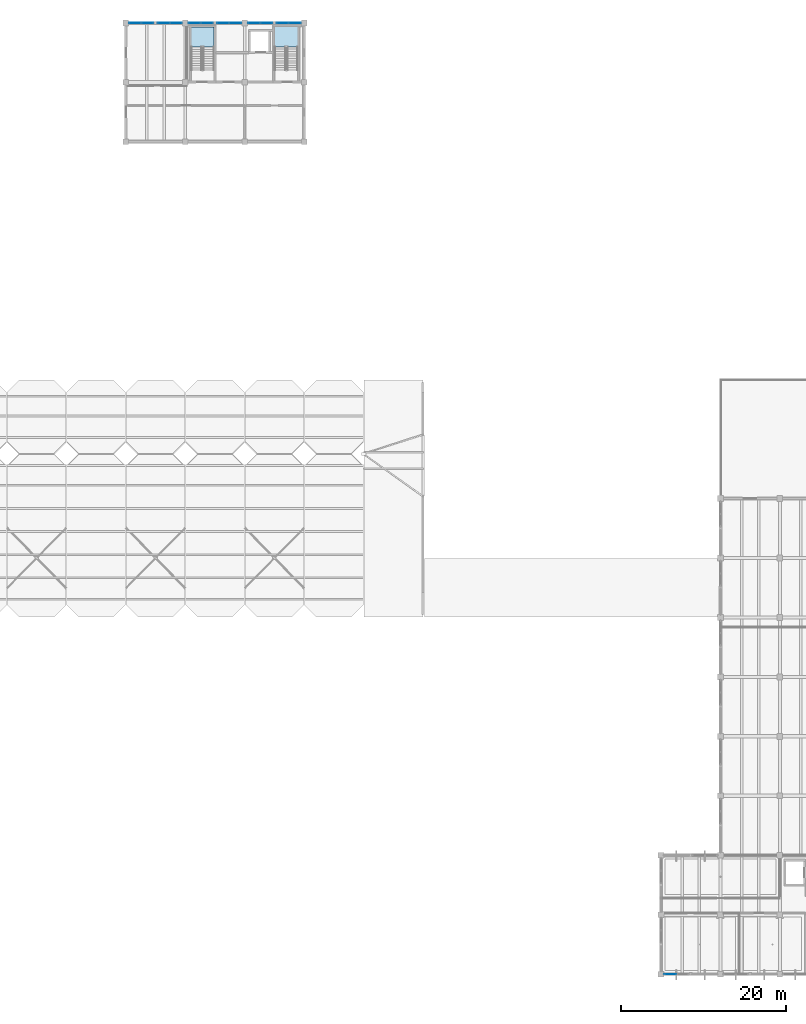
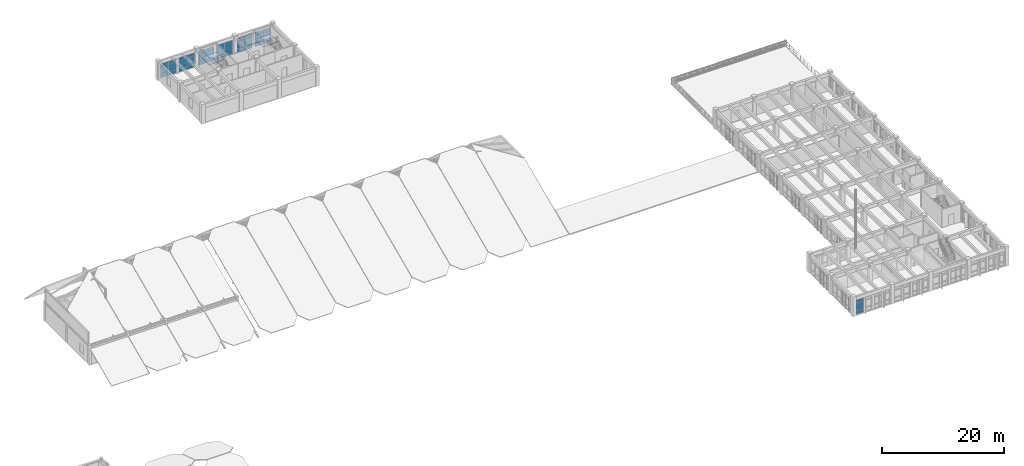
# One storey, part 24 of 54: 39 plates, 2 slabs, 9 elements without a shape of their own.
"""IFC4 building model written with IfcOpenShell, lengths in metres."""

import ifcopenshell
import ifcopenshell.guid

model = None  # the IFC model being written
_history = None  # IfcOwnerHistory: only IFC2X3 demands one
_inside = {}  # id of a spatial element -> (the spatial element, [elements in it])
_under = {}  # id of a project, library or spatial element -> (it, [spatial elements below it])
_declared = {}  # id of a project -> (the project, [libraries it declares])
_typed = {}  # id of a type object -> (the type object, [elements of that type])
_made_of = {}  # id of a material, layer set ... -> (it, [elements and type objects made of it])


def new_model(schema):
    """Start an empty IFC model of exactly this schema.

    Asked for "IFC4X3", IfcOpenShell would pick the latest addendum, in which some entities
    have other attributes; the version numbers below select the first issue.
    IFC2X3 requires an IfcOwnerHistory on every rooted entity: one is made here for all.
    """
    global model, _history
    if schema == "IFC4X3":
        model = ifcopenshell.file(schema_version=(4, 3, 0, 0))
    else:
        model = ifcopenshell.file(schema=schema)
    _inside.clear()
    _under.clear()
    _declared.clear()
    _typed.clear()
    _made_of.clear()
    _history = None
    if model.schema == "IFC2X3":
        org = make("IfcOrganization", Name="unknown")
        user = make(
            "IfcPersonAndOrganization",
            ThePerson=make("IfcPerson", FamilyName="unknown"),
            TheOrganization=org,
        )
        app = make(
            "IfcApplication",
            ApplicationDeveloper=org,
            Version="unknown",
            ApplicationFullName="unknown",
            ApplicationIdentifier="unknown",
        )
        _history = make(
            "IfcOwnerHistory",
            OwningUser=user,
            OwningApplication=app,
            ChangeAction="ADDED",
            CreationDate=0,
        )
    return model


def make(cls, **values):
    """One entity of the class cls with the attributes given. An attribute that is None is left unset."""
    return model.create_entity(
        cls, **{name: value for name, value in values.items() if value is not None}
    )


def rooted(cls, **values):
    """An entity with a GlobalId (a new one), such as an element, a storey or a relation."""
    return make(cls, GlobalId=ifcopenshell.guid.new(), OwnerHistory=_history, **values)


def si_unit(unit_type, name, prefix=None):
    """IfcSIUnit, for example si_unit("LENGTHUNIT", "METRE", prefix="MILLI")."""
    return make("IfcSIUnit", UnitType=unit_type, Prefix=prefix, Name=name)


def assignment(units):
    """IfcUnitAssignment: the units of a project."""
    return None if units is None else make("IfcUnitAssignment", Units=units)


def point(xyz):
    """IfcCartesianPoint."""
    return None if xyz is None else make("IfcCartesianPoint", Coordinates=xyz)


def direction(xyz):
    """IfcDirection."""
    return None if xyz is None else make("IfcDirection", DirectionRatios=xyz)


def frame(location, z_axis=None, x_axis=None):
    """IfcAxis2Placement3D, a coordinate frame: its origin and axes. An axis left out is left unset."""
    return make(
        "IfcAxis2Placement3D",
        Location=point(location),
        Axis=direction(z_axis),
        RefDirection=direction(x_axis),
    )


def frame_2d(location, x_axis=None):
    """IfcAxis2Placement2D, a coordinate frame in the plane: its origin and x axis."""
    return make(
        "IfcAxis2Placement2D", Location=point(location), RefDirection=direction(x_axis)
    )


def origin():
    """The frame at (0, 0, 0) with its axes left unset."""
    return frame((0.0, 0.0, 0.0))


def origin_2d():
    """The frame at (0, 0) in the plane with its x axis left unset."""
    return frame_2d((0.0, 0.0))


def place(relative_to, where):
    """IfcLocalPlacement: puts the frame where relative to a parent placement (None: the world)."""
    return make(
        "IfcLocalPlacement", PlacementRelTo=relative_to, RelativePlacement=where
    )


def context(
    kind, dimensions, precision=None, world=None, true_north=None, identifier=None
):
    """IfcGeometricRepresentationContext, for example the 3D "Model" context."""
    return make(
        "IfcGeometricRepresentationContext",
        ContextIdentifier=identifier,
        ContextType=kind,
        CoordinateSpaceDimension=dimensions,
        Precision=precision,
        WorldCoordinateSystem=world,
        TrueNorth=true_north,
    )


def subcontext(parent, identifier, kind, view, scale=None):
    """IfcGeometricRepresentationSubContext, for example "Body" below "Model"."""
    return make(
        "IfcGeometricRepresentationSubContext",
        ContextIdentifier=identifier,
        ContextType=kind,
        ParentContext=parent,
        TargetScale=scale,
        TargetView=view,
    )


def project(units=None, contexts=None):
    """IfcProject with its units and contexts."""
    return rooted(
        "IfcProject",
        Name="project",
        RepresentationContexts=contexts,
        UnitsInContext=assignment(units),
    )


def spatial(cls, under=None, at=None, **own):
    """A site, building, storey or space (cls), placed at a placement, below another one or the project."""
    s = rooted(cls, ObjectPlacement=at, **own)
    if under is not None:
        _under.setdefault(under.id(), (under, []))[1].append(s)
    return s


def polyline(points):
    """IfcPolyline through the points."""
    return make("IfcPolyline", Points=[point(p) for p in points])


def profile(cls, at=None, kind="AREA", **sizes):
    """A parametric profile (cls). Its sizes go by their IFC names, for example OverallWidth=200.0."""
    return make(cls, ProfileType=kind, Position=at, **sizes)


def rectangle(**sizes):
    """IfcRectangleProfileDef."""
    return profile("IfcRectangleProfileDef", **sizes)


def outline(outer, holes=None, kind="AREA"):
    """IfcArbitraryClosedProfileDef: a profile drawn as a closed curve; with holes, ...WithVoids."""
    if holes is None:
        return make("IfcArbitraryClosedProfileDef", ProfileType=kind, OuterCurve=outer)
    return make(
        "IfcArbitraryProfileDefWithVoids",
        ProfileType=kind,
        OuterCurve=outer,
        InnerCurves=holes,
    )


def extrude(swept, where, along, depth):
    """IfcExtrudedAreaSolid: the profile swept, set in the frame where, extruded along a direction by depth."""
    return make(
        "IfcExtrudedAreaSolid",
        SweptArea=swept,
        Position=where,
        ExtrudedDirection=direction(along),
        Depth=depth,
    )


def shape(context_of_items, identifier, shape_type, items):
    """IfcShapeRepresentation: the items that make up one representation, for example the "Body"."""
    return make(
        "IfcShapeRepresentation",
        ContextOfItems=context_of_items,
        RepresentationIdentifier=identifier,
        RepresentationType=shape_type,
        Items=items,
    )


def material(Name=None, Category=None):
    """IfcMaterial."""
    return make("IfcMaterial", Name=Name, Category=Category)


def layer(
    of_material, thickness, ventilated=None, Name=None, Category=None, Priority=None
):
    """IfcMaterialLayer: one layer of a wall or slab, of a material (None: an air gap)."""
    return make(
        "IfcMaterialLayer",
        Material=of_material,
        LayerThickness=thickness,
        IsVentilated=ventilated,
        Name=Name,
        Category=Category,
        Priority=Priority,
    )


def layer_set(layers, Name=None):
    """IfcMaterialLayerSet."""
    return make("IfcMaterialLayerSet", MaterialLayers=layers, LayerSetName=Name)


def made_of(thing, what):
    """Note that an element or type object is made of a material, layer set ...; save() writes the relation."""
    if what is not None:
        _made_of.setdefault(what.id(), (what, []))[1].append(thing)
    return thing


def type_object(cls, material=None, **own):
    """A type object (cls), such as IfcWallType, which elements share."""
    return made_of(rooted(cls, **own), material)


def element(
    cls,
    number,
    at=None,
    inside=None,
    cuts=None,
    type_object=None,
    material=None,
    context=None,
    identifier="Body",
    shape_type=None,
    held_by="IfcProductDefinitionShape",
    body=None,
    shapes=None,
    **own,
):
    """One element of the class cls, such as IfcWall. Its Tag is "e" and its number.

    at: its placement. inside: the storey or other place that contains it. cuts: it is an
    opening in that element (IfcRelVoidsElement). A single representation is given by context,
    identifier, shape_type and body (its items); several are given by shapes. held_by: the class
    of the entity that holds the representations. save() writes the other relations.
    """
    e = rooted(cls, Tag="e%d" % number, ObjectPlacement=at, **own)
    if body is not None:
        shapes = [shape(context, identifier, shape_type, body)]
    if shapes is not None:
        e.Representation = make(held_by, Representations=shapes)
    if inside is not None:
        _inside.setdefault(inside.id(), (inside, []))[1].append(e)
    if cuts is not None:
        rooted(
            "IfcRelVoidsElement", RelatingBuildingElement=cuts, RelatedOpeningElement=e
        )
    if type_object is not None:
        _typed.setdefault(type_object.id(), (type_object, []))[1].append(e)
    return made_of(e, material)


def aggregate(whole, parts):
    """IfcRelAggregates: a whole, such as a stair, and the parts it consists of."""
    return rooted("IfcRelAggregates", RelatingObject=whole, RelatedObjects=parts)


def save(model, path):
    """Write the relations noted so far, then the file.

    IfcRelAggregates (storeys below a building ...), IfcRelContainedInSpatialStructure (elements
    in a storey), IfcRelDefinesByType, IfcRelAssociatesMaterial and IfcRelDeclares: one each for
    every whole, place, type object, material and project.
    """
    for whole, parts in _under.values():
        aggregate(whole, parts)
    for where, things in _inside.values():
        rooted(
            "IfcRelContainedInSpatialStructure",
            RelatedElements=things,
            RelatingStructure=where,
        )
    for kind, things in _typed.values():
        rooted("IfcRelDefinesByType", RelatedObjects=things, RelatingType=kind)
    for what, things in _made_of.values():
        rooted("IfcRelAssociatesMaterial", RelatedObjects=things, RelatingMaterial=what)
    for by, libraries in _declared.values():
        rooted("IfcRelDeclares", RelatingContext=by, RelatedDefinitions=libraries)
    model.write(path)


model = new_model("IFC4")

# Units and contexts
model_context = context("Model", 3, precision=1e-05, world=origin(), true_north=direction((0.0, 1.0)))
body_context = subcontext(model_context, "Body", "Model", "MODEL_VIEW")
ifc_project = project(units=[si_unit("LENGTHUNIT", "METRE"), si_unit("AREAUNIT", "SQUARE_METRE"), si_unit("VOLUMEUNIT", "CUBIC_METRE"), si_unit("PLANEANGLEUNIT", "RADIAN"), si_unit("MASSUNIT", "GRAM", prefix="KILO")], contexts=[model_context])

# Site, building, storey
site_placement = place(None, origin())
site = spatial("IfcSite", under=ifc_project, at=site_placement, CompositionType="ELEMENT")
building_placement = place(site_placement, origin())
building = spatial("IfcBuilding", under=site, at=building_placement, Name="Koriwan Promenade Central Fire Station", CompositionType="ELEMENT")
storey_placement = place(building_placement, frame((0.0, 0.0, 9.60009765625)))
storey = spatial("IfcBuildingStorey", under=building, at=storey_placement, Name="L02", CompositionType="ELEMENT", Elevation=9.60009765625)

# Curtain wall, plates
ifc_material_1 = material(Name="Aluminium EN AW-6063-T6 and low-E glazing", Category="aluminium")
ifc_layer_1 = layer(ifc_material_1, 0.159912109375, Name="Aluminium EN AW-6063-T6 and low-E glazing")
ifc_layer_set_1 = layer_set([ifc_layer_1], Name="Aluminium EN AW-6063-T6 and low-E glazing")
curtain_wall_type_1 = type_object("IfcCurtainWallType", Name="CurtainWall_10_305x299", PredefinedType="USERDEFINED", material=ifc_layer_set_1)
curtain_wall_1_placement = place(storey_placement, origin())
curtain_wall_1 = element("IfcCurtainWall", 1, at=curtain_wall_1_placement, inside=storey, type_object=curtain_wall_type_1, Name="V2 L02 unitised curtain wall 028", ObjectType="UNITISED CURTAIN WALL", PredefinedType="USERDEFINED")
ifc_material_2 = material(Name="Low-E laminated double glazing", Category="glass")
ifc_layer_2 = layer(ifc_material_2, 0.028076171875, Name="Low-E laminated double glazing")
ifc_layer_set_2 = layer_set([ifc_layer_2], Name="Low-E laminated double glazing")
plate_type_1 = type_object("IfcPlateType", Name="CWPanel_28", PredefinedType="CURTAIN_PANEL", material=ifc_layer_set_2)
plate_1_placement = place(storey_placement, frame((96.217529296875, 115.199951171875, 0.079833984375), z_axis=(0.0, 0.0, 1.0), x_axis=(-1.0, 0.0, 0.0)))
plate_1 = element("IfcPlate", 2, at=plate_1_placement, type_object=plate_type_1, Name="CW-10 panel 1.1", PredefinedType="CURTAIN_PANEL", context=body_context, shape_type="SweptSolid", body=[
    extrude(rectangle(XDim=1.405029296875, YDim=0.028076171875, at=origin_2d()), origin(), (0.0, 0.0, 1.0), 0.72998046875),
])
plate_2_placement = place(storey_placement, frame((96.217529296875, 115.199951171875, 0.89013671875), z_axis=(0.0, 0.0, 1.0), x_axis=(-1.0, 0.0, 0.0)))
plate_2 = element("IfcPlate", 3, at=plate_2_placement, type_object=plate_type_1, Name="CW-10 panel 1.2", PredefinedType="CURTAIN_PANEL", context=body_context, shape_type="SweptSolid", body=[
    extrude(rectangle(XDim=1.405029296875, YDim=0.028076171875, at=origin_2d()), origin(), (0.0, 0.0, 1.0), 1.409912109375),
])
plate_3_placement = place(storey_placement, frame((96.217529296875, 115.199951171875, 2.3798828125), z_axis=(0.0, 0.0, 1.0), x_axis=(-1.0, 0.0, 0.0)))
plate_3 = element("IfcPlate", 4, at=plate_3_placement, type_object=plate_type_1, Name="CW-10 panel 1.3", PredefinedType="CURTAIN_PANEL", context=body_context, shape_type="SweptSolid", body=[
    extrude(rectangle(XDim=1.405029296875, YDim=0.028076171875, at=origin_2d()), origin(), (0.0, 0.0, 1.0), 0.530029296875),
])
plate_4_placement = place(storey_placement, frame((94.732421875, 115.199951171875, 0.079833984375), z_axis=(0.0, 0.0, 1.0), x_axis=(-1.0, 0.0, 0.0)))
plate_4 = element("IfcPlate", 5, at=plate_4_placement, type_object=plate_type_1, Name="CW-10 panel 2.1", PredefinedType="CURTAIN_PANEL", context=body_context, shape_type="SweptSolid", body=[
    extrude(rectangle(XDim=1.405029296875, YDim=0.028076171875, at=origin_2d()), origin(), (0.0, 0.0, 1.0), 0.72998046875),
])
plate_5_placement = place(storey_placement, frame((94.732421875, 115.199951171875, 0.89013671875), z_axis=(0.0, 0.0, 1.0), x_axis=(-1.0, 0.0, 0.0)))
plate_5 = element("IfcPlate", 6, at=plate_5_placement, type_object=plate_type_1, Name="CW-10 panel 2.2", PredefinedType="CURTAIN_PANEL", context=body_context, shape_type="SweptSolid", body=[
    extrude(rectangle(XDim=1.405029296875, YDim=0.028076171875, at=origin_2d()), origin(), (0.0, 0.0, 1.0), 1.409912109375),
])
plate_6_placement = place(storey_placement, frame((94.732421875, 115.199951171875, 2.3798828125), z_axis=(0.0, 0.0, 1.0), x_axis=(-1.0, 0.0, 0.0)))
plate_6 = element("IfcPlate", 7, at=plate_6_placement, type_object=plate_type_1, Name="CW-10 panel 2.3", PredefinedType="CURTAIN_PANEL", context=body_context, shape_type="SweptSolid", body=[
    extrude(rectangle(XDim=1.405029296875, YDim=0.028076171875, at=origin_2d()), origin(), (0.0, 0.0, 1.0), 0.530029296875),
])
aggregate(curtain_wall_1, [plate_1, plate_2, plate_3, plate_4, plate_5, plate_6])

curtain_wall_2_placement = place(storey_placement, origin())
curtain_wall_2 = element("IfcCurtainWall", 8, at=curtain_wall_2_placement, inside=storey, type_object=curtain_wall_type_1, Name="V2 L02 unitised curtain wall 030", ObjectType="UNITISED CURTAIN WALL", PredefinedType="USERDEFINED")
plate_7_placement = place(storey_placement, frame((89.017578125, 115.199951171875, 0.079833984375), z_axis=(0.0, 0.0, 1.0), x_axis=(-1.0, 0.0, 0.0)))
plate_7 = element("IfcPlate", 9, at=plate_7_placement, type_object=plate_type_1, Name="CW-10 panel 1.1", PredefinedType="CURTAIN_PANEL", context=body_context, shape_type="SweptSolid", body=[
    extrude(rectangle(XDim=1.405029296875, YDim=0.028076171875, at=origin_2d()), origin(), (0.0, 0.0, 1.0), 0.72998046875),
])
plate_8_placement = place(storey_placement, frame((89.017578125, 115.199951171875, 0.89013671875), z_axis=(0.0, 0.0, 1.0), x_axis=(-1.0, 0.0, 0.0)))
plate_8 = element("IfcPlate", 10, at=plate_8_placement, type_object=plate_type_1, Name="CW-10 panel 1.2", PredefinedType="CURTAIN_PANEL", context=body_context, shape_type="SweptSolid", body=[
    extrude(rectangle(XDim=1.405029296875, YDim=0.028076171875, at=origin_2d()), origin(), (0.0, 0.0, 1.0), 1.409912109375),
])
plate_9_placement = place(storey_placement, frame((89.017578125, 115.199951171875, 2.3798828125), z_axis=(0.0, 0.0, 1.0), x_axis=(-1.0, 0.0, 0.0)))
plate_9 = element("IfcPlate", 11, at=plate_9_placement, type_object=plate_type_1, Name="CW-10 panel 1.3", PredefinedType="CURTAIN_PANEL", context=body_context, shape_type="SweptSolid", body=[
    extrude(rectangle(XDim=1.405029296875, YDim=0.028076171875, at=origin_2d()), origin(), (0.0, 0.0, 1.0), 0.530029296875),
])
plate_10_placement = place(storey_placement, frame((87.532470703125, 115.199951171875, 0.079833984375), z_axis=(0.0, 0.0, 1.0), x_axis=(-1.0, 0.0, 0.0)))
plate_10 = element("IfcPlate", 12, at=plate_10_placement, type_object=plate_type_1, Name="CW-10 panel 2.1", PredefinedType="CURTAIN_PANEL", context=body_context, shape_type="SweptSolid", body=[
    extrude(rectangle(XDim=1.405029296875, YDim=0.028076171875, at=origin_2d()), origin(), (0.0, 0.0, 1.0), 0.72998046875),
])
plate_11_placement = place(storey_placement, frame((87.532470703125, 115.199951171875, 0.89013671875), z_axis=(0.0, 0.0, 1.0), x_axis=(-1.0, 0.0, 0.0)))
plate_11 = element("IfcPlate", 13, at=plate_11_placement, type_object=plate_type_1, Name="CW-10 panel 2.2", PredefinedType="CURTAIN_PANEL", context=body_context, shape_type="SweptSolid", body=[
    extrude(rectangle(XDim=1.405029296875, YDim=0.028076171875, at=origin_2d()), origin(), (0.0, 0.0, 1.0), 1.409912109375),
])
plate_12_placement = place(storey_placement, frame((87.532470703125, 115.199951171875, 2.3798828125), z_axis=(0.0, 0.0, 1.0), x_axis=(-1.0, 0.0, 0.0)))
plate_12 = element("IfcPlate", 14, at=plate_12_placement, type_object=plate_type_1, Name="CW-10 panel 2.3", PredefinedType="CURTAIN_PANEL", context=body_context, shape_type="SweptSolid", body=[
    extrude(rectangle(XDim=1.405029296875, YDim=0.028076171875, at=origin_2d()), origin(), (0.0, 0.0, 1.0), 0.530029296875),
])
aggregate(curtain_wall_2, [plate_7, plate_8, plate_9, plate_10, plate_11, plate_12])

curtain_wall_3_placement = place(storey_placement, origin())
curtain_wall_3 = element("IfcCurtainWall", 15, at=curtain_wall_3_placement, inside=storey, type_object=curtain_wall_type_1, Name="V2 L02 unitised curtain wall 032", ObjectType="UNITISED CURTAIN WALL", PredefinedType="USERDEFINED")
plate_13_placement = place(storey_placement, frame((81.8173828125, 115.199951171875, 0.079833984375), z_axis=(0.0, 0.0, 1.0), x_axis=(-1.0, 0.0, 0.0)))
plate_13 = element("IfcPlate", 16, at=plate_13_placement, type_object=plate_type_1, Name="CW-10 panel 1.1", PredefinedType="CURTAIN_PANEL", context=body_context, shape_type="SweptSolid", body=[
    extrude(rectangle(XDim=1.405029296875, YDim=0.028076171875, at=origin_2d()), origin(), (0.0, 0.0, 1.0), 0.72998046875),
])
plate_14_placement = place(storey_placement, frame((81.8173828125, 115.199951171875, 0.89013671875), z_axis=(0.0, 0.0, 1.0), x_axis=(-1.0, 0.0, 0.0)))
plate_14 = element("IfcPlate", 17, at=plate_14_placement, type_object=plate_type_1, Name="CW-10 panel 1.2", PredefinedType="CURTAIN_PANEL", context=body_context, shape_type="SweptSolid", body=[
    extrude(rectangle(XDim=1.405029296875, YDim=0.028076171875, at=origin_2d()), origin(), (0.0, 0.0, 1.0), 1.409912109375),
])
plate_15_placement = place(storey_placement, frame((81.8173828125, 115.199951171875, 2.3798828125), z_axis=(0.0, 0.0, 1.0), x_axis=(-1.0, 0.0, 0.0)))
plate_15 = element("IfcPlate", 18, at=plate_15_placement, type_object=plate_type_1, Name="CW-10 panel 1.3", PredefinedType="CURTAIN_PANEL", context=body_context, shape_type="SweptSolid", body=[
    extrude(rectangle(XDim=1.405029296875, YDim=0.028076171875, at=origin_2d()), origin(), (0.0, 0.0, 1.0), 0.530029296875),
])
plate_16_placement = place(storey_placement, frame((80.33251953125, 115.199951171875, 0.079833984375), z_axis=(0.0, 0.0, 1.0), x_axis=(-1.0, 0.0, 0.0)))
plate_16 = element("IfcPlate", 19, at=plate_16_placement, type_object=plate_type_1, Name="CW-10 panel 2.1", PredefinedType="CURTAIN_PANEL", context=body_context, shape_type="SweptSolid", body=[
    extrude(rectangle(XDim=1.405029296875, YDim=0.028076171875, at=origin_2d()), origin(), (0.0, 0.0, 1.0), 0.72998046875),
])
plate_17_placement = place(storey_placement, frame((80.33251953125, 115.199951171875, 0.89013671875), z_axis=(0.0, 0.0, 1.0), x_axis=(-1.0, 0.0, 0.0)))
plate_17 = element("IfcPlate", 20, at=plate_17_placement, type_object=plate_type_1, Name="CW-10 panel 2.2", PredefinedType="CURTAIN_PANEL", context=body_context, shape_type="SweptSolid", body=[
    extrude(rectangle(XDim=1.405029296875, YDim=0.028076171875, at=origin_2d()), origin(), (0.0, 0.0, 1.0), 1.409912109375),
])
plate_18_placement = place(storey_placement, frame((80.33251953125, 115.199951171875, 2.3798828125), z_axis=(0.0, 0.0, 1.0), x_axis=(-1.0, 0.0, 0.0)))
plate_18 = element("IfcPlate", 21, at=plate_18_placement, type_object=plate_type_1, Name="CW-10 panel 2.3", PredefinedType="CURTAIN_PANEL", context=body_context, shape_type="SweptSolid", body=[
    extrude(rectangle(XDim=1.405029296875, YDim=0.028076171875, at=origin_2d()), origin(), (0.0, 0.0, 1.0), 0.530029296875),
])
aggregate(curtain_wall_3, [plate_13, plate_14, plate_15, plate_16, plate_17, plate_18])

ifc_layer_3 = layer(ifc_material_1, 0.159912109375, Name="Aluminium EN AW-6063-T6 and low-E glazing")
ifc_layer_set_3 = layer_set([ifc_layer_3], Name="Aluminium EN AW-6063-T6 and low-E glazing")
curtain_wall_type_2 = type_object("IfcCurtainWallType", Name="CurtainWall_75_305x300", PredefinedType="USERDEFINED", material=ifc_layer_set_3)
curtain_wall_4_placement = place(storey_placement, origin())
curtain_wall_4 = element("IfcCurtainWall", 22, at=curtain_wall_4_placement, inside=storey, type_object=curtain_wall_type_2, Name="V5 L02 unitised curtain wall 216", ObjectType="UNITISED CURTAIN WALL", PredefinedType="USERDEFINED")
plate_19_placement = place(storey_placement, frame((145.132568359375, 0.0, 0.079833984375), z_axis=(0.0, 0.0, 1.0), x_axis=(-1.0, 0.0, 0.0)))
plate_19 = element("IfcPlate", 23, at=plate_19_placement, type_object=plate_type_1, Name="CW-75 panel 2.1", PredefinedType="CURTAIN_PANEL", context=body_context, shape_type="SweptSolid", body=[
    extrude(rectangle(XDim=1.405029296875, YDim=0.028076171875, at=origin_2d()), origin(), (0.0, 0.0, 1.0), 0.72998046875),
])
plate_20_placement = place(storey_placement, frame((145.132568359375, 0.0, 0.889892578125), z_axis=(0.0, 0.0, 1.0), x_axis=(-1.0, 0.0, 0.0)))
plate_20 = element("IfcPlate", 24, at=plate_20_placement, type_object=plate_type_1, Name="CW-75 panel 2.2", PredefinedType="CURTAIN_PANEL", context=body_context, shape_type="SweptSolid", body=[
    extrude(rectangle(XDim=1.405029296875, YDim=0.028076171875, at=origin_2d()), origin(), (0.0, 0.0, 1.0), 1.419921875),
])
plate_21_placement = place(storey_placement, frame((145.132568359375, 0.0, 2.3896484375), z_axis=(0.0, 0.0, 1.0), x_axis=(-1.0, 0.0, 0.0)))
plate_21 = element("IfcPlate", 25, at=plate_21_placement, type_object=plate_type_1, Name="CW-75 panel 2.3", PredefinedType="CURTAIN_PANEL", context=body_context, shape_type="SweptSolid", body=[
    extrude(rectangle(XDim=1.405029296875, YDim=0.028076171875, at=origin_2d()), origin(), (0.0, 0.0, 1.0), 0.530029296875),
])
aggregate(curtain_wall_4, [plate_19, plate_20, plate_21])

ifc_layer_4 = layer(ifc_material_1, 0.159912109375, Name="Aluminium EN AW-6063-T6 and low-E glazing")
ifc_layer_set_4 = layer_set([ifc_layer_4], Name="Aluminium EN AW-6063-T6 and low-E glazing")
curtain_wall_type_3 = type_object("IfcCurtainWallType", Name="CurtainWall_09_305x299", PredefinedType="USERDEFINED", material=ifc_layer_set_4)
curtain_wall_5_placement = place(storey_placement, origin())
curtain_wall_5 = element("IfcCurtainWall", 26, at=curtain_wall_5_placement, inside=storey, type_object=curtain_wall_type_3, Name="V2 L02 unitised curtain wall 027", ObjectType="UNITISED CURTAIN WALL", PredefinedType="USERDEFINED")
ifc_material_3 = material(Name="Solar-control low-E acoustic glazing", Category="glass")
ifc_layer_5 = layer(ifc_material_3, 0.031982421875, Name="Solar-control low-E acoustic glazing")
ifc_layer_set_5 = layer_set([ifc_layer_5], Name="Solar-control low-E acoustic glazing")
plate_type_2 = type_object("IfcPlateType", Name="CWPanel_32", PredefinedType="CURTAIN_PANEL", material=ifc_layer_set_5)
plate_22_placement = place(storey_placement, frame((99.668701171875, 115.199951171875, 0.07470703125), z_axis=(0.0, 0.0, 1.0), x_axis=(-1.0, 0.0, 0.0)))
plate_22 = element("IfcPlate", 27, at=plate_22_placement, type_object=plate_type_2, Name="CW-09 panel 1.1", PredefinedType="CURTAIN_PANEL", context=body_context, shape_type="SweptSolid", body=[
    extrude(rectangle(XDim=1.41259765625, YDim=0.031982421875, at=origin_2d()), origin(), (0.0, 0.0, 1.0), 0.737548828125),
])
plate_23_placement = place(storey_placement, frame((99.668701171875, 115.199951171875, 0.887451171875), z_axis=(0.0, 0.0, 1.0), x_axis=(-1.0, 0.0, 0.0)))
plate_23 = element("IfcPlate", 28, at=plate_23_placement, type_object=plate_type_2, Name="CW-09 panel 1.2", PredefinedType="CURTAIN_PANEL", context=body_context, shape_type="SweptSolid", body=[
    extrude(rectangle(XDim=1.41259765625, YDim=0.031982421875, at=origin_2d()), origin(), (0.0, 0.0, 1.0), 1.4150390625),
])
plate_24_placement = place(storey_placement, frame((99.668701171875, 115.199951171875, 2.37744140625), z_axis=(0.0, 0.0, 1.0), x_axis=(-1.0, 0.0, 0.0)))
plate_24 = element("IfcPlate", 29, at=plate_24_placement, type_object=plate_type_2, Name="CW-09 panel 1.3", PredefinedType="CURTAIN_PANEL", context=body_context, shape_type="SweptSolid", body=[
    extrude(rectangle(XDim=1.41259765625, YDim=0.031982421875, at=origin_2d()), origin(), (0.0, 0.0, 1.0), 0.53759765625),
])
plate_25_placement = place(storey_placement, frame((98.18115234375, 115.199951171875, 0.07470703125), z_axis=(0.0, 0.0, 1.0), x_axis=(-1.0, 0.0, 0.0)))
plate_25 = element("IfcPlate", 30, at=plate_25_placement, type_object=plate_type_2, Name="CW-09 panel 2.1", PredefinedType="CURTAIN_PANEL", context=body_context, shape_type="SweptSolid", body=[
    extrude(rectangle(XDim=1.41259765625, YDim=0.031982421875, at=origin_2d()), origin(), (0.0, 0.0, 1.0), 0.737548828125),
])
plate_26_placement = place(storey_placement, frame((98.18115234375, 115.199951171875, 0.887451171875), z_axis=(0.0, 0.0, 1.0), x_axis=(-1.0, 0.0, 0.0)))
plate_26 = element("IfcPlate", 31, at=plate_26_placement, type_object=plate_type_2, Name="CW-09 panel 2.2", PredefinedType="CURTAIN_PANEL", context=body_context, shape_type="SweptSolid", body=[
    extrude(rectangle(XDim=1.41259765625, YDim=0.031982421875, at=origin_2d()), origin(), (0.0, 0.0, 1.0), 1.4150390625),
])
plate_27_placement = place(storey_placement, frame((98.18115234375, 115.199951171875, 2.37744140625), z_axis=(0.0, 0.0, 1.0), x_axis=(-1.0, 0.0, 0.0)))
plate_27 = element("IfcPlate", 32, at=plate_27_placement, type_object=plate_type_2, Name="CW-09 panel 2.3", PredefinedType="CURTAIN_PANEL", context=body_context, shape_type="SweptSolid", body=[
    extrude(rectangle(XDim=1.41259765625, YDim=0.031982421875, at=origin_2d()), origin(), (0.0, 0.0, 1.0), 0.53759765625),
])
aggregate(curtain_wall_5, [plate_22, plate_23, plate_24, plate_25, plate_26, plate_27])

curtain_wall_6_placement = place(storey_placement, origin())
curtain_wall_6 = element("IfcCurtainWall", 33, at=curtain_wall_6_placement, inside=storey, type_object=curtain_wall_type_3, Name="V2 L02 unitised curtain wall 029", ObjectType="UNITISED CURTAIN WALL", PredefinedType="USERDEFINED")
plate_28_placement = place(storey_placement, frame((92.46875, 115.199951171875, 0.07470703125), z_axis=(0.0, 0.0, 1.0), x_axis=(-1.0, 0.0, 0.0)))
plate_28 = element("IfcPlate", 34, at=plate_28_placement, type_object=plate_type_2, Name="CW-09 panel 1.1", PredefinedType="CURTAIN_PANEL", context=body_context, shape_type="SweptSolid", body=[
    extrude(rectangle(XDim=1.41259765625, YDim=0.031982421875, at=origin_2d()), origin(), (0.0, 0.0, 1.0), 0.737548828125),
])
plate_29_placement = place(storey_placement, frame((92.46875, 115.199951171875, 0.887451171875), z_axis=(0.0, 0.0, 1.0), x_axis=(-1.0, 0.0, 0.0)))
plate_29 = element("IfcPlate", 35, at=plate_29_placement, type_object=plate_type_2, Name="CW-09 panel 1.2", PredefinedType="CURTAIN_PANEL", context=body_context, shape_type="SweptSolid", body=[
    extrude(rectangle(XDim=1.41259765625, YDim=0.031982421875, at=origin_2d()), origin(), (0.0, 0.0, 1.0), 1.4150390625),
])
plate_30_placement = place(storey_placement, frame((92.46875, 115.199951171875, 2.37744140625), z_axis=(0.0, 0.0, 1.0), x_axis=(-1.0, 0.0, 0.0)))
plate_30 = element("IfcPlate", 36, at=plate_30_placement, type_object=plate_type_2, Name="CW-09 panel 1.3", PredefinedType="CURTAIN_PANEL", context=body_context, shape_type="SweptSolid", body=[
    extrude(rectangle(XDim=1.41259765625, YDim=0.031982421875, at=origin_2d()), origin(), (0.0, 0.0, 1.0), 0.53759765625),
])
plate_31_placement = place(storey_placement, frame((90.981201171875, 115.199951171875, 0.07470703125), z_axis=(0.0, 0.0, 1.0), x_axis=(-1.0, 0.0, 0.0)))
plate_31 = element("IfcPlate", 37, at=plate_31_placement, type_object=plate_type_2, Name="CW-09 panel 2.1", PredefinedType="CURTAIN_PANEL", context=body_context, shape_type="SweptSolid", body=[
    extrude(rectangle(XDim=1.41259765625, YDim=0.031982421875, at=origin_2d()), origin(), (0.0, 0.0, 1.0), 0.737548828125),
])
plate_32_placement = place(storey_placement, frame((90.981201171875, 115.199951171875, 0.887451171875), z_axis=(0.0, 0.0, 1.0), x_axis=(-1.0, 0.0, 0.0)))
plate_32 = element("IfcPlate", 38, at=plate_32_placement, type_object=plate_type_2, Name="CW-09 panel 2.2", PredefinedType="CURTAIN_PANEL", context=body_context, shape_type="SweptSolid", body=[
    extrude(rectangle(XDim=1.41259765625, YDim=0.031982421875, at=origin_2d()), origin(), (0.0, 0.0, 1.0), 1.4150390625),
])
plate_33_placement = place(storey_placement, frame((90.981201171875, 115.199951171875, 2.37744140625), z_axis=(0.0, 0.0, 1.0), x_axis=(-1.0, 0.0, 0.0)))
plate_33 = element("IfcPlate", 39, at=plate_33_placement, type_object=plate_type_2, Name="CW-09 panel 2.3", PredefinedType="CURTAIN_PANEL", context=body_context, shape_type="SweptSolid", body=[
    extrude(rectangle(XDim=1.41259765625, YDim=0.031982421875, at=origin_2d()), origin(), (0.0, 0.0, 1.0), 0.53759765625),
])
aggregate(curtain_wall_6, [plate_28, plate_29, plate_30, plate_31, plate_32, plate_33])

curtain_wall_7_placement = place(storey_placement, origin())
curtain_wall_7 = element("IfcCurtainWall", 40, at=curtain_wall_7_placement, inside=storey, type_object=curtain_wall_type_3, Name="V2 L02 unitised curtain wall 031", ObjectType="UNITISED CURTAIN WALL", PredefinedType="USERDEFINED")
plate_34_placement = place(storey_placement, frame((85.268798828125, 115.199951171875, 0.07470703125), z_axis=(0.0, 0.0, 1.0), x_axis=(-1.0, 0.0, 0.0)))
plate_34 = element("IfcPlate", 41, at=plate_34_placement, type_object=plate_type_2, Name="CW-09 panel 1.1", PredefinedType="CURTAIN_PANEL", context=body_context, shape_type="SweptSolid", body=[
    extrude(rectangle(XDim=1.41259765625, YDim=0.031982421875, at=origin_2d()), origin(), (0.0, 0.0, 1.0), 0.737548828125),
])
plate_35_placement = place(storey_placement, frame((85.268798828125, 115.199951171875, 0.887451171875), z_axis=(0.0, 0.0, 1.0), x_axis=(-1.0, 0.0, 0.0)))
plate_35 = element("IfcPlate", 42, at=plate_35_placement, type_object=plate_type_2, Name="CW-09 panel 1.2", PredefinedType="CURTAIN_PANEL", context=body_context, shape_type="SweptSolid", body=[
    extrude(rectangle(XDim=1.41259765625, YDim=0.031982421875, at=origin_2d()), origin(), (0.0, 0.0, 1.0), 1.4150390625),
])
plate_36_placement = place(storey_placement, frame((85.268798828125, 115.199951171875, 2.37744140625), z_axis=(0.0, 0.0, 1.0), x_axis=(-1.0, 0.0, 0.0)))
plate_36 = element("IfcPlate", 43, at=plate_36_placement, type_object=plate_type_2, Name="CW-09 panel 1.3", PredefinedType="CURTAIN_PANEL", context=body_context, shape_type="SweptSolid", body=[
    extrude(rectangle(XDim=1.41259765625, YDim=0.031982421875, at=origin_2d()), origin(), (0.0, 0.0, 1.0), 0.53759765625),
])
plate_37_placement = place(storey_placement, frame((83.78125, 115.199951171875, 0.07470703125), z_axis=(0.0, 0.0, 1.0), x_axis=(-1.0, 0.0, 0.0)))
plate_37 = element("IfcPlate", 44, at=plate_37_placement, type_object=plate_type_2, Name="CW-09 panel 2.1", PredefinedType="CURTAIN_PANEL", context=body_context, shape_type="SweptSolid", body=[
    extrude(rectangle(XDim=1.41259765625, YDim=0.031982421875, at=origin_2d()), origin(), (0.0, 0.0, 1.0), 0.737548828125),
])
plate_38_placement = place(storey_placement, frame((83.78125, 115.199951171875, 0.887451171875), z_axis=(0.0, 0.0, 1.0), x_axis=(-1.0, 0.0, 0.0)))
plate_38 = element("IfcPlate", 45, at=plate_38_placement, type_object=plate_type_2, Name="CW-09 panel 2.2", PredefinedType="CURTAIN_PANEL", context=body_context, shape_type="SweptSolid", body=[
    extrude(rectangle(XDim=1.41259765625, YDim=0.031982421875, at=origin_2d()), origin(), (0.0, 0.0, 1.0), 1.4150390625),
])
plate_39_placement = place(storey_placement, frame((83.78125, 115.199951171875, 2.37744140625), z_axis=(0.0, 0.0, 1.0), x_axis=(-1.0, 0.0, 0.0)))
plate_39 = element("IfcPlate", 46, at=plate_39_placement, type_object=plate_type_2, Name="CW-09 panel 2.3", PredefinedType="CURTAIN_PANEL", context=body_context, shape_type="SweptSolid", body=[
    extrude(rectangle(XDim=1.41259765625, YDim=0.031982421875, at=origin_2d()), origin(), (0.0, 0.0, 1.0), 0.53759765625),
])
aggregate(curtain_wall_7, [plate_34, plate_35, plate_36, plate_37, plate_38, plate_39])

# Stair, slab
ifc_material_4 = material(Name="Concrete C35/45", Category="concrete")
stair_type_1 = type_object("IfcStairType", Name="Stair_HALF_22R_1340", PredefinedType="HALF_TURN_STAIR", material=ifc_material_4)
stair_1_placement = place(storey_placement, origin())
stair_1 = element("IfcStair", 47, at=stair_1_placement, inside=storey, type_object=stair_type_1, Name="L02 Protected Stair ST04", PredefinedType="HALF_TURN_STAIR")
ifc_layer_6 = layer(ifc_material_4, 0.199951171875, Name="Concrete C35/45")
ifc_layer_set_6 = layer_set([ifc_layer_6], Name="Concrete C35/45")
slab_type = type_object("IfcSlabType", Name="StairLanding_200", PredefinedType="LANDING", material=ifc_layer_set_6)
slab_1_placement = place(storey_placement, frame((0.0, 0.0, 1.75)))
slab_1 = element("IfcSlab", 48, at=slab_1_placement, type_object=slab_type, Name="ST04 landing 1", PredefinedType="LANDING", context=body_context, shape_type="SweptSolid", body=[
    extrude(outline(polyline([(100.050048828125, 112.2900390625), (100.050048828125, 114.75), (97.219970703125, 114.75), (97.219970703125, 112.2900390625), (100.050048828125, 112.2900390625)])), origin(), (0.0, 0.0, 1.0), 0.199951171875),
])
aggregate(stair_1, [slab_1])

stair_type_2 = type_object("IfcStairType", Name="Stair_HALF_22R_1320", PredefinedType="HALF_TURN_STAIR", material=ifc_material_4)
stair_2_placement = place(storey_placement, origin())
stair_2 = element("IfcStair", 49, at=stair_2_placement, inside=storey, type_object=stair_type_2, Name="L02 Protected Stair ST09", PredefinedType="HALF_TURN_STAIR")
slab_2_placement = place(storey_placement, frame((0.0, 0.0, 1.75)))
slab_2 = element("IfcSlab", 50, at=slab_2_placement, type_object=slab_type, Name="ST09 landing 1", PredefinedType="LANDING", context=body_context, shape_type="SweptSolid", body=[
    extrude(outline(polyline([(89.89990234375, 112.27001953125), (89.89990234375, 114.7099609375), (87.110107421875, 114.7099609375), (87.110107421875, 112.27001953125), (89.89990234375, 112.27001953125)])), origin(), (0.0, 0.0, 1.0), 0.199951171875),
])
aggregate(stair_2, [slab_2])

save(model, "model.ifc")
